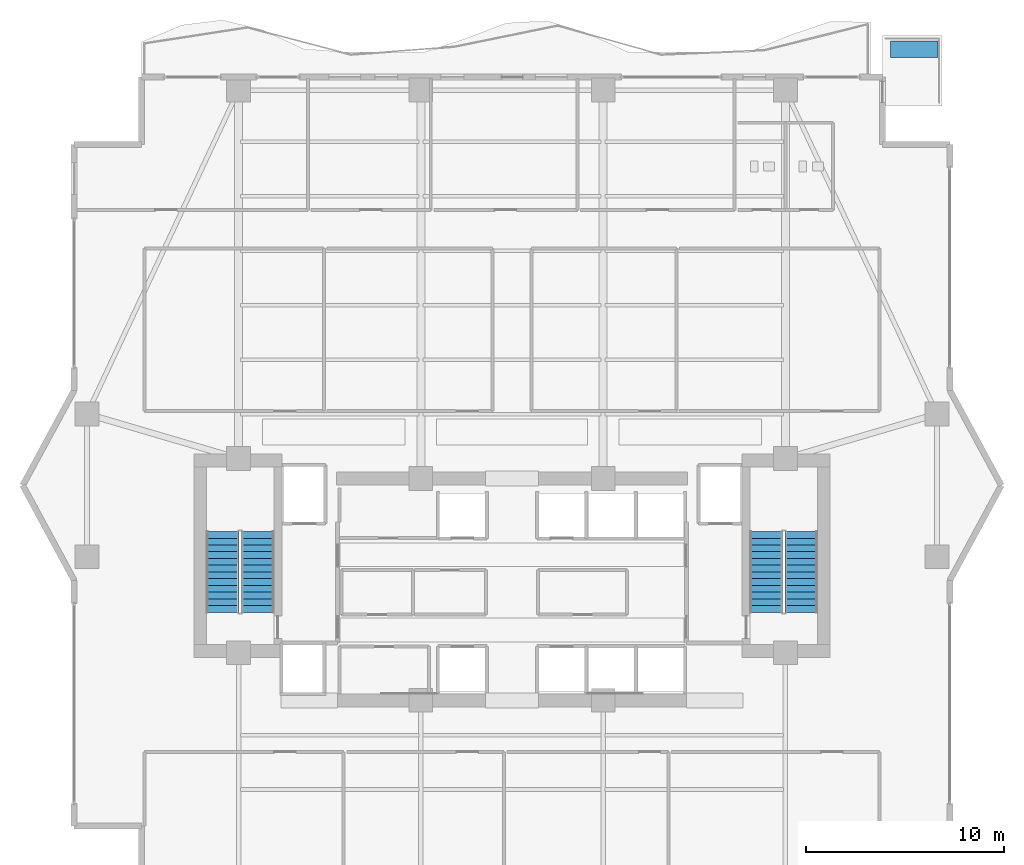
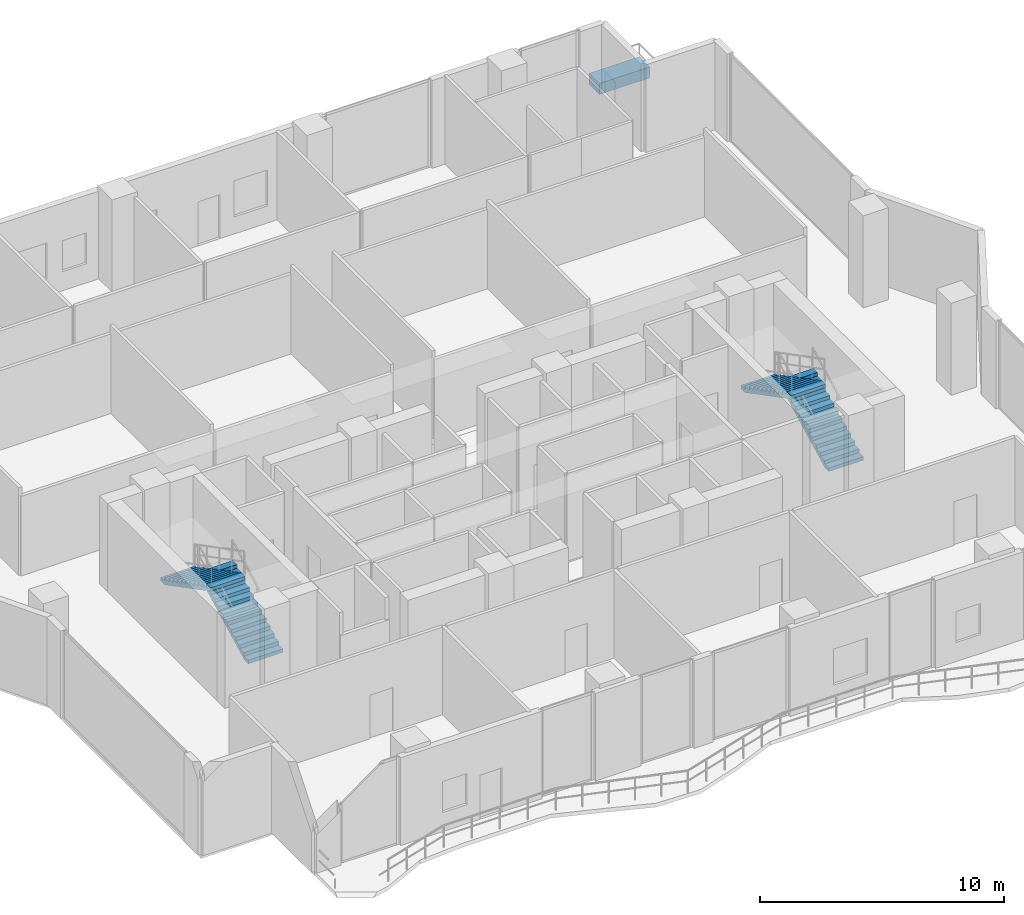
# One storey, part 27 of 31: 4 stair flights, 1 building element part, 2 elements without a shape of their own.
"""IFC4 building model written with IfcOpenShell, lengths in metres."""

from ifc_helpers import new_model, si_unit, direction, frame, origin, origin_2d, place, context, subcontext, project, spatial, polyline, rectangle, outline, extrude, material, layer, layer_set, type_object, element, aggregate, save


model = new_model("IFC4")

# Units and contexts
model_context = context("Model", 3, precision=1e-05, world=origin(), true_north=direction((0.0, 1.0)))
body_context = subcontext(model_context, "Body", "Model", "MODEL_VIEW")
ifc_project = project(units=[si_unit("LENGTHUNIT", "METRE"), si_unit("AREAUNIT", "SQUARE_METRE"), si_unit("VOLUMEUNIT", "CUBIC_METRE"), si_unit("PLANEANGLEUNIT", "RADIAN"), si_unit("MASSUNIT", "GRAM", prefix="KILO")], contexts=[model_context])

# Site, building, storey
site_placement = place(None, origin())
site = spatial("IfcSite", under=ifc_project, at=site_placement, CompositionType="ELEMENT")
building_placement = place(site_placement, origin())
building = spatial("IfcBuilding", under=site, at=building_placement, Name="Zuhayl Quay Hotel", CompositionType="ELEMENT")
storey_placement = place(building_placement, frame((0.0, 0.0, 172.800048828125)))
storey = spatial("IfcBuildingStorey", under=building, at=storey_placement, Name="L43", CompositionType="ELEMENT", Elevation=172.800048828125)

# Stair, stair flights
ifc_material_1 = material(Name="Concrete C45/55", Category="concrete")
stair_type = type_object("IfcStairType", Name="ST_DOGLEG_TOWER", PredefinedType="HALF_TURN_STAIR", material=ifc_material_1)
stair_1_placement = place(storey_placement, origin())
stair_1 = element("IfcStair", 1, at=stair_1_placement, inside=storey, type_object=stair_type, Name="L43 Smokeproof Exit Stair ST1", PredefinedType="HALF_TURN_STAIR")
ifc_layer_1 = layer(ifc_material_1, 0.159912109375, Name="Concrete C45/55", Category="concrete")
ifc_layer_set_1 = layer_set([ifc_layer_1], Name="Concrete C45/55")
stair_flight_type = type_object("IfcStairFlightType", Name="SF_CONC_164", PredefinedType="STRAIGHT", material=ifc_layer_set_1)
stair_flight_1_placement = place(storey_placement, frame((-12.820068359375, 6.590087890625, 0.0), z_axis=(0.0, 0.0, 1.0), x_axis=(0.0, 1.0, 0.0)))
stair_flight_1 = element("IfcStairFlight", 2, at=stair_flight_1_placement, type_object=stair_flight_type, Name="ST1 flight 1", NumberOfRisers=13, NumberOfTreads=12, PredefinedType="STRAIGHT", RiserHeight=0.176923077, TreadLength=0.34, context=body_context, shape_type="SweptSolid", body=[
    extrude(outline(polyline([(0.0, 0.0), (0.0, 0.177001953125), (0.340087890625, 0.177001953125), (0.340087890625, 0.353759765625), (0.679931640625, 0.353759765625), (0.679931640625, 0.53076171875), (1.02001953125, 0.53076171875), (1.02001953125, 0.707763671875), (1.360107421875, 0.707763671875), (1.360107421875, 0.884521484375), (1.699951171875, 0.884521484375), (1.699951171875, 1.0615234375), (2.0400390625, 1.0615234375), (2.0400390625, 1.238525390625), (2.3798828125, 1.238525390625), (2.3798828125, 1.415283203125), (2.719970703125, 1.415283203125), (2.719970703125, 1.59228515625), (3.06005859375, 1.59228515625), (3.06005859375, 1.769287109375), (3.39990234375, 1.769287109375), (3.39990234375, 1.946044921875), (3.739990234375, 1.946044921875), (3.739990234375, 2.123046875), (4.080078125, 2.123046875), (4.080078125, 2.300048828125), (4.080078125, 1.9541015625), (0.32470703125, 0.0), (0.0, 0.0)])), frame((0.0, 0.81982421875, 0.0), z_axis=(0.0, -1.0, 0.0), x_axis=(1.0, 0.0, 0.0)), (0.0, 0.0, 1.0), 1.639892578125),
])
stair_flight_2_placement = place(storey_placement, frame((-14.610107421875, 10.669921875, 2.300048828125), z_axis=(0.0, 0.0, 1.0), x_axis=(0.0, -1.0, 0.0)))
stair_flight_2 = element("IfcStairFlight", 3, at=stair_flight_2_placement, type_object=stair_flight_type, Name="ST1 flight 2", NumberOfRisers=13, NumberOfTreads=12, PredefinedType="STRAIGHT", RiserHeight=0.176923077, TreadLength=0.34, context=body_context, shape_type="SweptSolid", body=[
    extrude(outline(polyline([(0.0, 0.0), (0.0, 0.177001953125), (0.340087890625, 0.177001953125), (0.340087890625, 0.353759765625), (0.679931640625, 0.353759765625), (0.679931640625, 0.53076171875), (1.02001953125, 0.53076171875), (1.02001953125, 0.707763671875), (1.360107421875, 0.707763671875), (1.360107421875, 0.884521484375), (1.699951171875, 0.884521484375), (1.699951171875, 1.0615234375), (2.0400390625, 1.0615234375), (2.0400390625, 1.238525390625), (2.3798828125, 1.238525390625), (2.3798828125, 1.415283203125), (2.719970703125, 1.415283203125), (2.719970703125, 1.59228515625), (3.06005859375, 1.59228515625), (3.06005859375, 1.769287109375), (3.39990234375, 1.769287109375), (3.39990234375, 1.946044921875), (3.739990234375, 1.946044921875), (3.739990234375, 2.123046875), (4.080078125, 2.123046875), (4.080078125, 2.300048828125), (4.080078125, 1.9541015625), (0.32470703125, 0.0), (0.0, 0.0)])), frame((0.0, 0.81982421875, 0.0), z_axis=(0.0, -1.0, 0.0), x_axis=(1.0, 0.0, 0.0)), (0.0, 0.0, 1.0), 1.639892578125),
])
aggregate(stair_1, [stair_flight_1, stair_flight_2])

stair_2_placement = place(storey_placement, origin())
stair_2 = element("IfcStair", 4, at=stair_2_placement, inside=storey, type_object=stair_type, Name="L43 Smokeproof Exit Stair ST2", PredefinedType="HALF_TURN_STAIR")
stair_flight_3_placement = place(storey_placement, frame((14.610107421875, 6.590087890625, 0.0), z_axis=(0.0, 0.0, 1.0), x_axis=(0.0, 1.0, 0.0)))
stair_flight_3 = element("IfcStairFlight", 5, at=stair_flight_3_placement, type_object=stair_flight_type, Name="ST2 flight 1", NumberOfRisers=13, NumberOfTreads=12, PredefinedType="STRAIGHT", RiserHeight=0.176923077, TreadLength=0.34, context=body_context, shape_type="SweptSolid", body=[
    extrude(outline(polyline([(0.0, 0.0), (0.0, 0.177001953125), (0.340087890625, 0.177001953125), (0.340087890625, 0.353759765625), (0.679931640625, 0.353759765625), (0.679931640625, 0.53076171875), (1.02001953125, 0.53076171875), (1.02001953125, 0.707763671875), (1.360107421875, 0.707763671875), (1.360107421875, 0.884521484375), (1.699951171875, 0.884521484375), (1.699951171875, 1.0615234375), (2.0400390625, 1.0615234375), (2.0400390625, 1.238525390625), (2.3798828125, 1.238525390625), (2.3798828125, 1.415283203125), (2.719970703125, 1.415283203125), (2.719970703125, 1.59228515625), (3.06005859375, 1.59228515625), (3.06005859375, 1.769287109375), (3.39990234375, 1.769287109375), (3.39990234375, 1.946044921875), (3.739990234375, 1.946044921875), (3.739990234375, 2.123046875), (4.080078125, 2.123046875), (4.080078125, 2.300048828125), (4.080078125, 1.9541015625), (0.32470703125, 0.0), (0.0, 0.0)])), frame((0.0, 0.81982421875, 0.0), z_axis=(0.0, -1.0, 0.0), x_axis=(1.0, 0.0, 0.0)), (0.0, 0.0, 1.0), 1.639892578125),
])
stair_flight_4_placement = place(storey_placement, frame((12.820068359375, 10.669921875, 2.300048828125), z_axis=(0.0, 0.0, 1.0), x_axis=(0.0, -1.0, 0.0)))
stair_flight_4 = element("IfcStairFlight", 6, at=stair_flight_4_placement, type_object=stair_flight_type, Name="ST2 flight 2", NumberOfRisers=13, NumberOfTreads=12, PredefinedType="STRAIGHT", RiserHeight=0.176923077, TreadLength=0.34, context=body_context, shape_type="SweptSolid", body=[
    extrude(outline(polyline([(0.0, 0.0), (0.0, 0.177001953125), (0.340087890625, 0.177001953125), (0.340087890625, 0.353759765625), (0.679931640625, 0.353759765625), (0.679931640625, 0.53076171875), (1.02001953125, 0.53076171875), (1.02001953125, 0.707763671875), (1.360107421875, 0.707763671875), (1.360107421875, 0.884521484375), (1.699951171875, 0.884521484375), (1.699951171875, 1.0615234375), (2.0400390625, 1.0615234375), (2.0400390625, 1.238525390625), (2.3798828125, 1.238525390625), (2.3798828125, 1.415283203125), (2.719970703125, 1.415283203125), (2.719970703125, 1.59228515625), (3.06005859375, 1.59228515625), (3.06005859375, 1.769287109375), (3.39990234375, 1.769287109375), (3.39990234375, 1.946044921875), (3.739990234375, 1.946044921875), (3.739990234375, 2.123046875), (4.080078125, 2.123046875), (4.080078125, 2.300048828125), (4.080078125, 1.9541015625), (0.32470703125, 0.0), (0.0, 0.0)])), frame((0.0, 0.81982421875, 0.0), z_axis=(0.0, -1.0, 0.0), x_axis=(1.0, 0.0, 0.0)), (0.0, 0.0, 1.0), 1.639892578125),
])
aggregate(stair_2, [stair_flight_3, stair_flight_4])

# Building element part
ifc_material_2 = material(Name="Precast concrete C45/55", Category="concrete")
ifc_layer_2 = layer(ifc_material_2, 0.550048828125, Name="Precast concrete C45/55", Category="concrete")
ifc_layer_set_2 = layer_set([ifc_layer_2], Name="Precast concrete C45/55")
building_element_part_type = type_object("IfcBuildingElementPartType", Name="PT_PLANTER_KERB", PredefinedType="PRECASTPANEL", material=ifc_layer_set_2)
building_element_part_placement = place(storey_placement, frame((20.31005859375, 35.010009765625, 0.0), z_axis=(0.0, 0.0, 1.0), x_axis=(1.0, 0.0, 0.0)))
element("IfcBuildingElementPart", 7, at=building_element_part_placement, inside=storey, type_object=building_element_part_type, Name="L43 Spiral Sky-Terrace Planter Box NE", PredefinedType="PRECASTPANEL", context=body_context, shape_type="SweptSolid", body=[
    extrude(rectangle(XDim=2.39990234375, YDim=0.85009765625, at=origin_2d()), origin(), (0.0, 0.0, 1.0), 0.550048828125),
])

save(model, "model.ifc")
